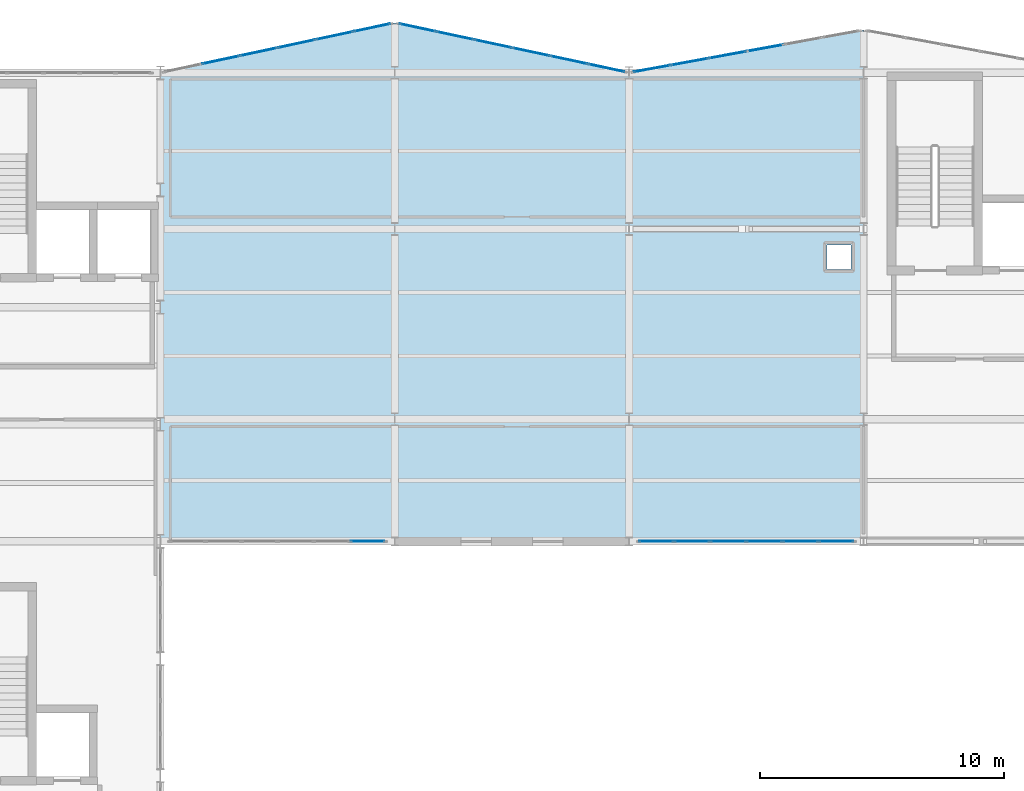
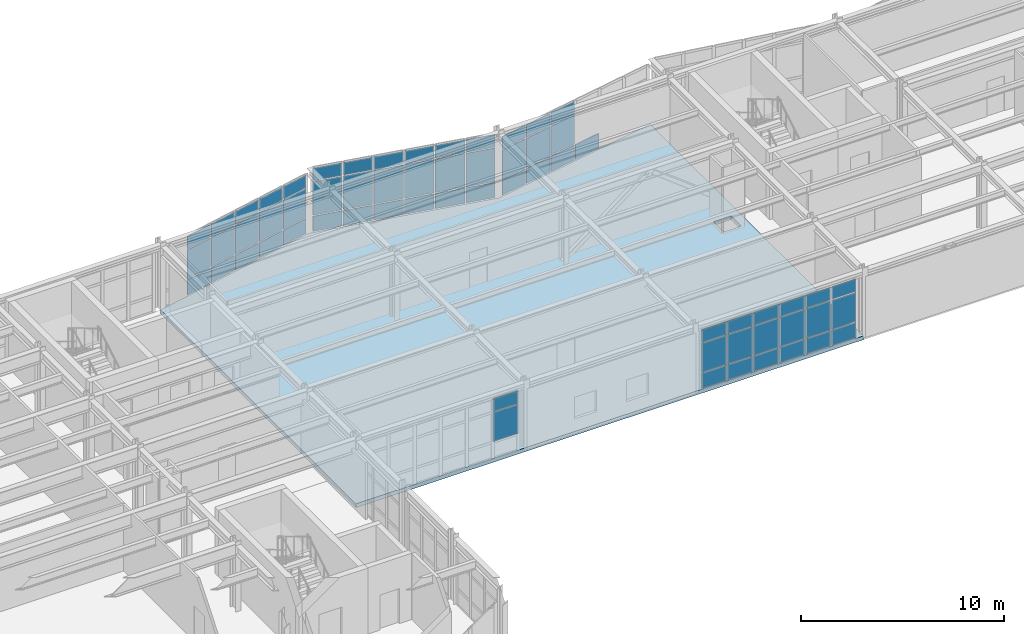
# One storey, part 53 of 76: 63 plates, 1 slab, 5 elements without a shape of their own.
"""IFC4 building model written with IfcOpenShell, lengths in metres."""

from ifc_helpers import new_model, si_unit, direction, frame, origin, origin_2d, place, context, subcontext, project, spatial, polyline, rectangle, outline, extrude, material, layer, layer_set, type_object, element, aggregate, save


model = new_model("IFC4")

# Units and contexts
model_context = context("Model", 3, precision=1e-05, world=origin(), true_north=direction((0.0, 1.0)))
body_context = subcontext(model_context, "Body", "Model", "MODEL_VIEW")
ifc_project = project(units=[si_unit("LENGTHUNIT", "METRE"), si_unit("AREAUNIT", "SQUARE_METRE"), si_unit("VOLUMEUNIT", "CUBIC_METRE"), si_unit("PLANEANGLEUNIT", "RADIAN"), si_unit("MASSUNIT", "GRAM", prefix="KILO")], contexts=[model_context])

# Site, building, storey
site_placement = place(None, origin())
site = spatial("IfcSite", under=ifc_project, at=site_placement, CompositionType="ELEMENT")
building_placement = place(site_placement, origin())
building = spatial("IfcBuilding", under=site, at=building_placement, Name="Nordkorset Police Headquarters", CompositionType="ELEMENT")
storey_placement = place(building_placement, frame((0.0, 0.0, 13.64990234375)))
storey = spatial("IfcBuildingStorey", under=building, at=storey_placement, Name="L03", CompositionType="ELEMENT", Elevation=13.64990234375)

# Curtain wall, plates
ifc_material_1 = material(Name="Aluminium alloy AW-6060", Category="aluminium")
ifc_layer_1 = layer(ifc_material_1, 0.179931640625, Name="Aluminium alloy AW-6060")
ifc_layer_set_1 = layer_set([ifc_layer_1], Name="Aluminium alloy AW-6060")
curtain_wall_type_1 = type_object("IfcCurtainWallType", Name="CW_Unit_954x365", PredefinedType="USERDEFINED", material=ifc_layer_set_1)
curtain_wall_1_placement = place(storey_placement, origin())
curtain_wall_1 = element("IfcCurtainWall", 1, at=curtain_wall_1_placement, inside=storey, type_object=curtain_wall_type_1, Name="Unitised Curtain Wall L03 V2N-0", ObjectType="UNITISED CURTAIN WALL", PredefinedType="USERDEFINED")
ifc_material_2 = material(Name="Low-iron triple glazing", Category="glass")
ifc_layer_2 = layer(ifc_material_2, 0.035888671875, Name="Low-iron triple glazing")
ifc_layer_set_2 = layer_set([ifc_layer_2], Name="Low-iron triple glazing")
plate_type = type_object("IfcPlateType", Name="CW_Panel_TripleGlazing_36", PredefinedType="CURTAIN_PANEL", material=ifc_layer_set_2)
plate_1_placement = place(storey_placement, frame((31.2685546875, 117.3271484375, 0.06494140625), z_axis=(0.0, 0.0, 1.0), x_axis=(0.977951416289, 0.208832534289, 0.0)))
plate_1 = element("IfcPlate", 2, at=plate_1_placement, type_object=plate_type, Name="CW-83 panel 2.1", PredefinedType="CURTAIN_PANEL", context=body_context, shape_type="SweptSolid", body=[
    extrude(rectangle(XDim=1.5244140625, YDim=0.035888671875, at=origin_2d()), origin(), (0.0, 0.0, 1.0), 0.902587890625),
])
plate_2_placement = place(storey_placement, frame((31.2685546875, 117.3271484375, 1.03271484375), z_axis=(0.0, 0.0, 1.0), x_axis=(0.977951416289, 0.208832534289, 0.0)))
plate_2 = element("IfcPlate", 3, at=plate_2_placement, type_object=plate_type, Name="CW-83 panel 2.2", PredefinedType="CURTAIN_PANEL", context=body_context, shape_type="SweptSolid", body=[
    extrude(rectangle(XDim=1.5244140625, YDim=0.035888671875, at=origin_2d()), origin(), (0.0, 0.0, 1.0), 1.735107421875),
])
plate_3_placement = place(storey_placement, frame((31.2685546875, 117.3271484375, 2.83251953125), z_axis=(0.0, 0.0, 1.0), x_axis=(0.977951416289, 0.208832534289, 0.0)))
plate_3 = element("IfcPlate", 4, at=plate_3_placement, type_object=plate_type, Name="CW-83 panel 2.3", PredefinedType="CURTAIN_PANEL", context=body_context, shape_type="SweptSolid", body=[
    extrude(rectangle(XDim=1.5244140625, YDim=0.035888671875, at=origin_2d()), origin(), (0.0, 0.0, 1.0), 0.75244140625),
])
plate_4_placement = place(storey_placement, frame((32.82275390625, 117.658935546875, 0.06494140625), z_axis=(0.0, 0.0, 1.0), x_axis=(0.977951416289, 0.208832534289, 0.0)))
plate_4 = element("IfcPlate", 5, at=plate_4_placement, type_object=plate_type, Name="CW-83 panel 3.1", PredefinedType="CURTAIN_PANEL", context=body_context, shape_type="SweptSolid", body=[
    extrude(rectangle(XDim=1.5244140625, YDim=0.035888671875, at=origin_2d()), origin(), (0.0, 0.0, 1.0), 0.902587890625),
])
plate_5_placement = place(storey_placement, frame((32.82275390625, 117.658935546875, 1.03271484375), z_axis=(0.0, 0.0, 1.0), x_axis=(0.977951416289, 0.208832534289, 0.0)))
plate_5 = element("IfcPlate", 6, at=plate_5_placement, type_object=plate_type, Name="CW-83 panel 3.2", PredefinedType="CURTAIN_PANEL", context=body_context, shape_type="SweptSolid", body=[
    extrude(rectangle(XDim=1.5244140625, YDim=0.035888671875, at=origin_2d()), origin(), (0.0, 0.0, 1.0), 1.735107421875),
])
plate_6_placement = place(storey_placement, frame((32.82275390625, 117.658935546875, 2.83251953125), z_axis=(0.0, 0.0, 1.0), x_axis=(0.977951416289, 0.208832534289, 0.0)))
plate_6 = element("IfcPlate", 7, at=plate_6_placement, type_object=plate_type, Name="CW-83 panel 3.3", PredefinedType="CURTAIN_PANEL", context=body_context, shape_type="SweptSolid", body=[
    extrude(rectangle(XDim=1.5244140625, YDim=0.035888671875, at=origin_2d()), origin(), (0.0, 0.0, 1.0), 0.75244140625),
])
plate_7_placement = place(storey_placement, frame((34.377197265625, 117.990966796875, 0.06494140625), z_axis=(0.0, 0.0, 1.0), x_axis=(0.977951416289, 0.208832534289, 0.0)))
plate_7 = element("IfcPlate", 8, at=plate_7_placement, type_object=plate_type, Name="CW-83 panel 4.1", PredefinedType="CURTAIN_PANEL", context=body_context, shape_type="SweptSolid", body=[
    extrude(rectangle(XDim=1.5244140625, YDim=0.035888671875, at=origin_2d()), origin(), (0.0, 0.0, 1.0), 0.902587890625),
])
plate_8_placement = place(storey_placement, frame((34.377197265625, 117.990966796875, 1.03271484375), z_axis=(0.0, 0.0, 1.0), x_axis=(0.977951416289, 0.208832534289, 0.0)))
plate_8 = element("IfcPlate", 9, at=plate_8_placement, type_object=plate_type, Name="CW-83 panel 4.2", PredefinedType="CURTAIN_PANEL", context=body_context, shape_type="SweptSolid", body=[
    extrude(rectangle(XDim=1.5244140625, YDim=0.035888671875, at=origin_2d()), origin(), (0.0, 0.0, 1.0), 1.735107421875),
])
plate_9_placement = place(storey_placement, frame((34.377197265625, 117.990966796875, 2.83251953125), z_axis=(0.0, 0.0, 1.0), x_axis=(0.977951416289, 0.208832534289, 0.0)))
plate_9 = element("IfcPlate", 10, at=plate_9_placement, type_object=plate_type, Name="CW-83 panel 4.3", PredefinedType="CURTAIN_PANEL", context=body_context, shape_type="SweptSolid", body=[
    extrude(rectangle(XDim=1.5244140625, YDim=0.035888671875, at=origin_2d()), origin(), (0.0, 0.0, 1.0), 0.75244140625),
])
plate_10_placement = place(storey_placement, frame((35.931640625, 118.322998046875, 0.06494140625), z_axis=(0.0, 0.0, 1.0), x_axis=(0.977951416289, 0.208832534289, 0.0)))
plate_10 = element("IfcPlate", 11, at=plate_10_placement, type_object=plate_type, Name="CW-83 panel 5.1", PredefinedType="CURTAIN_PANEL", context=body_context, shape_type="SweptSolid", body=[
    extrude(rectangle(XDim=1.5244140625, YDim=0.035888671875, at=origin_2d()), origin(), (0.0, 0.0, 1.0), 0.902587890625),
])
plate_11_placement = place(storey_placement, frame((35.931640625, 118.322998046875, 1.03271484375), z_axis=(0.0, 0.0, 1.0), x_axis=(0.977951416289, 0.208832534289, 0.0)))
plate_11 = element("IfcPlate", 12, at=plate_11_placement, type_object=plate_type, Name="CW-83 panel 5.2", PredefinedType="CURTAIN_PANEL", context=body_context, shape_type="SweptSolid", body=[
    extrude(rectangle(XDim=1.5244140625, YDim=0.035888671875, at=origin_2d()), origin(), (0.0, 0.0, 1.0), 1.735107421875),
])
plate_12_placement = place(storey_placement, frame((35.931640625, 118.322998046875, 2.83251953125), z_axis=(0.0, 0.0, 1.0), x_axis=(0.977951416289, 0.208832534289, 0.0)))
plate_12 = element("IfcPlate", 13, at=plate_12_placement, type_object=plate_type, Name="CW-83 panel 5.3", PredefinedType="CURTAIN_PANEL", context=body_context, shape_type="SweptSolid", body=[
    extrude(rectangle(XDim=1.5244140625, YDim=0.035888671875, at=origin_2d()), origin(), (0.0, 0.0, 1.0), 0.75244140625),
])
plate_13_placement = place(storey_placement, frame((37.469970703125, 118.6513671875, 0.06494140625), z_axis=(0.0, 0.0, 1.0), x_axis=(0.977951416289, 0.208832534289, 0.0)))
plate_13 = element("IfcPlate", 14, at=plate_13_placement, type_object=plate_type, Name="CW-83 panel 6.1", PredefinedType="CURTAIN_PANEL", context=body_context, shape_type="SweptSolid", body=[
    extrude(rectangle(XDim=1.491943359375, YDim=0.035888671875, at=origin_2d()), origin(), (0.0, 0.0, 1.0), 0.902587890625),
])
plate_14_placement = place(storey_placement, frame((37.469970703125, 118.6513671875, 1.03271484375), z_axis=(0.0, 0.0, 1.0), x_axis=(0.977951416289, 0.208832534289, 0.0)))
plate_14 = element("IfcPlate", 15, at=plate_14_placement, type_object=plate_type, Name="CW-83 panel 6.2", PredefinedType="CURTAIN_PANEL", context=body_context, shape_type="SweptSolid", body=[
    extrude(rectangle(XDim=1.491943359375, YDim=0.035888671875, at=origin_2d()), origin(), (0.0, 0.0, 1.0), 1.735107421875),
])
plate_15_placement = place(storey_placement, frame((37.469970703125, 118.6513671875, 2.83251953125), z_axis=(0.0, 0.0, 1.0), x_axis=(0.977951416289, 0.208832534289, 0.0)))
plate_15 = element("IfcPlate", 16, at=plate_15_placement, type_object=plate_type, Name="CW-83 panel 6.3", PredefinedType="CURTAIN_PANEL", context=body_context, shape_type="SweptSolid", body=[
    extrude(rectangle(XDim=1.491943359375, YDim=0.035888671875, at=origin_2d()), origin(), (0.0, 0.0, 1.0), 0.75244140625),
])
aggregate(curtain_wall_1, [plate_1, plate_2, plate_3, plate_4, plate_5, plate_6, plate_7, plate_8, plate_9, plate_10, plate_11, plate_12, plate_13, plate_14, plate_15])

ifc_material_3 = material(Name="Aluminium alloy AW-6060", Category="aluminium")
ifc_layer_3 = layer(ifc_material_3, 0.179931640625, Name="Aluminium alloy AW-6060")
ifc_layer_set_3 = layer_set([ifc_layer_3], Name="Aluminium alloy AW-6060")
curtain_wall_type_2 = type_object("IfcCurtainWallType", Name="CW_Unit_888x365", PredefinedType="USERDEFINED", material=ifc_layer_set_3)
curtain_wall_2_placement = place(storey_placement, origin())
curtain_wall_2 = element("IfcCurtainWall", 17, at=curtain_wall_2_placement, inside=storey, type_object=curtain_wall_type_2, Name="Unitised Curtain Wall L03 V2S-0", ObjectType="UNITISED CURTAIN WALL", PredefinedType="USERDEFINED")
plate_16_placement = place(storey_placement, frame((37.28369140625, 97.60009765625, 1.03271484375), z_axis=(0.0, 0.0, 1.0), x_axis=(1.0, 0.0, 0.0)))
plate_16 = element("IfcPlate", 18, at=plate_16_placement, type_object=plate_type, Name="CW-26 panel 6.2", PredefinedType="CURTAIN_PANEL", context=body_context, shape_type="SweptSolid", body=[
    extrude(rectangle(XDim=1.382568359375, YDim=0.035888671875, at=origin_2d()), origin(), (0.0, 0.0, 1.0), 1.735107421875),
])
plate_17_placement = place(storey_placement, frame((37.28369140625, 97.60009765625, 2.83251953125), z_axis=(0.0, 0.0, 1.0), x_axis=(1.0, 0.0, 0.0)))
plate_17 = element("IfcPlate", 19, at=plate_17_placement, type_object=plate_type, Name="CW-26 panel 6.3", PredefinedType="CURTAIN_PANEL", context=body_context, shape_type="SweptSolid", body=[
    extrude(rectangle(XDim=1.382568359375, YDim=0.035888671875, at=origin_2d()), origin(), (0.0, 0.0, 1.0), 0.75244140625),
])
aggregate(curtain_wall_2, [plate_16, plate_17])

ifc_material_4 = material(Name="Aluminium alloy AW-6060", Category="aluminium")
ifc_layer_4 = layer(ifc_material_4, 0.179931640625, Name="Aluminium alloy AW-6060")
ifc_layer_set_4 = layer_set([ifc_layer_4], Name="Aluminium alloy AW-6060")
curtain_wall_type_3 = type_object("IfcCurtainWallType", Name="CW_Unit_954x392", PredefinedType="USERDEFINED", material=ifc_layer_set_4)
curtain_wall_3_placement = place(storey_placement, origin())
curtain_wall_3 = element("IfcCurtainWall", 20, at=curtain_wall_3_placement, inside=storey, type_object=curtain_wall_type_3, Name="Unitised Curtain Wall L03 V2N-1", ObjectType="UNITISED CURTAIN WALL", PredefinedType="USERDEFINED")
plate_18_placement = place(storey_placement, frame((39.330078125, 118.6513671875, 0.06494140625), z_axis=(0.0, 0.0, 1.0), x_axis=(0.977951416289, -0.208832534289, 0.0)))
plate_18 = element("IfcPlate", 21, at=plate_18_placement, type_object=plate_type, Name="CW-20 panel 1.1", PredefinedType="CURTAIN_PANEL", context=body_context, shape_type="SweptSolid", body=[
    extrude(rectangle(XDim=1.491943359375, YDim=0.035888671875, at=origin_2d()), origin(), (0.0, 0.0, 1.0), 0.902587890625),
])
plate_19_placement = place(storey_placement, frame((39.330078125, 118.6513671875, 1.03271484375), z_axis=(0.0, 0.0, 1.0), x_axis=(0.977951416289, -0.208832534289, 0.0)))
plate_19 = element("IfcPlate", 22, at=plate_19_placement, type_object=plate_type, Name="CW-20 panel 1.2", PredefinedType="CURTAIN_PANEL", context=body_context, shape_type="SweptSolid", body=[
    extrude(rectangle(XDim=1.491943359375, YDim=0.035888671875, at=origin_2d()), origin(), (0.0, 0.0, 1.0), 2.0048828125),
])
plate_20_placement = place(storey_placement, frame((39.330078125, 118.6513671875, 3.1025390625), z_axis=(0.0, 0.0, 1.0), x_axis=(0.977951416289, -0.208832534289, 0.0)))
plate_20 = element("IfcPlate", 23, at=plate_20_placement, type_object=plate_type, Name="CW-20 panel 1.3", PredefinedType="CURTAIN_PANEL", context=body_context, shape_type="SweptSolid", body=[
    extrude(rectangle(XDim=1.491943359375, YDim=0.035888671875, at=origin_2d()), origin(), (0.0, 0.0, 1.0), 0.75244140625),
])
plate_21_placement = place(storey_placement, frame((40.868408203125, 118.322998046875, 0.06494140625), z_axis=(0.0, 0.0, 1.0), x_axis=(0.977951416289, -0.208832534289, 0.0)))
plate_21 = element("IfcPlate", 24, at=plate_21_placement, type_object=plate_type, Name="CW-20 panel 2.1", PredefinedType="CURTAIN_PANEL", context=body_context, shape_type="SweptSolid", body=[
    extrude(rectangle(XDim=1.5244140625, YDim=0.035888671875, at=origin_2d()), origin(), (0.0, 0.0, 1.0), 0.902587890625),
])
plate_22_placement = place(storey_placement, frame((40.868408203125, 118.322998046875, 1.03271484375), z_axis=(0.0, 0.0, 1.0), x_axis=(0.977951416289, -0.208832534289, 0.0)))
plate_22 = element("IfcPlate", 25, at=plate_22_placement, type_object=plate_type, Name="CW-20 panel 2.2", PredefinedType="CURTAIN_PANEL", context=body_context, shape_type="SweptSolid", body=[
    extrude(rectangle(XDim=1.5244140625, YDim=0.035888671875, at=origin_2d()), origin(), (0.0, 0.0, 1.0), 2.0048828125),
])
plate_23_placement = place(storey_placement, frame((40.868408203125, 118.322998046875, 3.1025390625), z_axis=(0.0, 0.0, 1.0), x_axis=(0.977951416289, -0.208832534289, 0.0)))
plate_23 = element("IfcPlate", 26, at=plate_23_placement, type_object=plate_type, Name="CW-20 panel 2.3", PredefinedType="CURTAIN_PANEL", context=body_context, shape_type="SweptSolid", body=[
    extrude(rectangle(XDim=1.5244140625, YDim=0.035888671875, at=origin_2d()), origin(), (0.0, 0.0, 1.0), 0.75244140625),
])
plate_24_placement = place(storey_placement, frame((42.4228515625, 117.990966796875, 0.06494140625), z_axis=(0.0, 0.0, 1.0), x_axis=(0.977951416289, -0.208832534289, 0.0)))
plate_24 = element("IfcPlate", 27, at=plate_24_placement, type_object=plate_type, Name="CW-20 panel 3.1", PredefinedType="CURTAIN_PANEL", context=body_context, shape_type="SweptSolid", body=[
    extrude(rectangle(XDim=1.5244140625, YDim=0.035888671875, at=origin_2d()), origin(), (0.0, 0.0, 1.0), 0.902587890625),
])
plate_25_placement = place(storey_placement, frame((42.4228515625, 117.990966796875, 1.03271484375), z_axis=(0.0, 0.0, 1.0), x_axis=(0.977951416289, -0.208832534289, 0.0)))
plate_25 = element("IfcPlate", 28, at=plate_25_placement, type_object=plate_type, Name="CW-20 panel 3.2", PredefinedType="CURTAIN_PANEL", context=body_context, shape_type="SweptSolid", body=[
    extrude(rectangle(XDim=1.5244140625, YDim=0.035888671875, at=origin_2d()), origin(), (0.0, 0.0, 1.0), 2.0048828125),
])
plate_26_placement = place(storey_placement, frame((42.4228515625, 117.990966796875, 3.1025390625), z_axis=(0.0, 0.0, 1.0), x_axis=(0.977951416289, -0.208832534289, 0.0)))
plate_26 = element("IfcPlate", 29, at=plate_26_placement, type_object=plate_type, Name="CW-20 panel 3.3", PredefinedType="CURTAIN_PANEL", context=body_context, shape_type="SweptSolid", body=[
    extrude(rectangle(XDim=1.5244140625, YDim=0.035888671875, at=origin_2d()), origin(), (0.0, 0.0, 1.0), 0.75244140625),
])
plate_27_placement = place(storey_placement, frame((43.977294921875, 117.658935546875, 0.06494140625), z_axis=(0.0, 0.0, 1.0), x_axis=(0.977951416289, -0.208832534289, 0.0)))
plate_27 = element("IfcPlate", 30, at=plate_27_placement, type_object=plate_type, Name="CW-20 panel 4.1", PredefinedType="CURTAIN_PANEL", context=body_context, shape_type="SweptSolid", body=[
    extrude(rectangle(XDim=1.5244140625, YDim=0.035888671875, at=origin_2d()), origin(), (0.0, 0.0, 1.0), 0.902587890625),
])
plate_28_placement = place(storey_placement, frame((43.977294921875, 117.658935546875, 1.03271484375), z_axis=(0.0, 0.0, 1.0), x_axis=(0.977951416289, -0.208832534289, 0.0)))
plate_28 = element("IfcPlate", 31, at=plate_28_placement, type_object=plate_type, Name="CW-20 panel 4.2", PredefinedType="CURTAIN_PANEL", context=body_context, shape_type="SweptSolid", body=[
    extrude(rectangle(XDim=1.5244140625, YDim=0.035888671875, at=origin_2d()), origin(), (0.0, 0.0, 1.0), 2.0048828125),
])
plate_29_placement = place(storey_placement, frame((43.977294921875, 117.658935546875, 3.1025390625), z_axis=(0.0, 0.0, 1.0), x_axis=(0.977951416289, -0.208832534289, 0.0)))
plate_29 = element("IfcPlate", 32, at=plate_29_placement, type_object=plate_type, Name="CW-20 panel 4.3", PredefinedType="CURTAIN_PANEL", context=body_context, shape_type="SweptSolid", body=[
    extrude(rectangle(XDim=1.5244140625, YDim=0.035888671875, at=origin_2d()), origin(), (0.0, 0.0, 1.0), 0.75244140625),
])
plate_30_placement = place(storey_placement, frame((45.531494140625, 117.3271484375, 0.06494140625), z_axis=(0.0, 0.0, 1.0), x_axis=(0.977951416289, -0.208832534289, 0.0)))
plate_30 = element("IfcPlate", 33, at=plate_30_placement, type_object=plate_type, Name="CW-20 panel 5.1", PredefinedType="CURTAIN_PANEL", context=body_context, shape_type="SweptSolid", body=[
    extrude(rectangle(XDim=1.5244140625, YDim=0.035888671875, at=origin_2d()), origin(), (0.0, 0.0, 1.0), 0.902587890625),
])
plate_31_placement = place(storey_placement, frame((45.531494140625, 117.3271484375, 1.03271484375), z_axis=(0.0, 0.0, 1.0), x_axis=(0.977951416289, -0.208832534289, 0.0)))
plate_31 = element("IfcPlate", 34, at=plate_31_placement, type_object=plate_type, Name="CW-20 panel 5.2", PredefinedType="CURTAIN_PANEL", context=body_context, shape_type="SweptSolid", body=[
    extrude(rectangle(XDim=1.5244140625, YDim=0.035888671875, at=origin_2d()), origin(), (0.0, 0.0, 1.0), 2.0048828125),
])
plate_32_placement = place(storey_placement, frame((45.531494140625, 117.3271484375, 3.1025390625), z_axis=(0.0, 0.0, 1.0), x_axis=(0.977951416289, -0.208832534289, 0.0)))
plate_32 = element("IfcPlate", 35, at=plate_32_placement, type_object=plate_type, Name="CW-20 panel 5.3", PredefinedType="CURTAIN_PANEL", context=body_context, shape_type="SweptSolid", body=[
    extrude(rectangle(XDim=1.5244140625, YDim=0.035888671875, at=origin_2d()), origin(), (0.0, 0.0, 1.0), 0.75244140625),
])
plate_33_placement = place(storey_placement, frame((47.070068359375, 116.99853515625, 0.06494140625), z_axis=(0.0, 0.0, 1.0), x_axis=(0.977951416289, -0.208832534289, 0.0)))
plate_33 = element("IfcPlate", 36, at=plate_33_placement, type_object=plate_type, Name="CW-20 panel 6.1", PredefinedType="CURTAIN_PANEL", context=body_context, shape_type="SweptSolid", body=[
    extrude(rectangle(XDim=1.491943359375, YDim=0.035888671875, at=origin_2d()), origin(), (0.0, 0.0, 1.0), 0.902587890625),
])
plate_34_placement = place(storey_placement, frame((47.070068359375, 116.99853515625, 1.03271484375), z_axis=(0.0, 0.0, 1.0), x_axis=(0.977951416289, -0.208832534289, 0.0)))
plate_34 = element("IfcPlate", 37, at=plate_34_placement, type_object=plate_type, Name="CW-20 panel 6.2", PredefinedType="CURTAIN_PANEL", context=body_context, shape_type="SweptSolid", body=[
    extrude(rectangle(XDim=1.491943359375, YDim=0.035888671875, at=origin_2d()), origin(), (0.0, 0.0, 1.0), 2.0048828125),
])
plate_35_placement = place(storey_placement, frame((47.070068359375, 116.99853515625, 3.1025390625), z_axis=(0.0, 0.0, 1.0), x_axis=(0.977951416289, -0.208832534289, 0.0)))
plate_35 = element("IfcPlate", 38, at=plate_35_placement, type_object=plate_type, Name="CW-20 panel 6.3", PredefinedType="CURTAIN_PANEL", context=body_context, shape_type="SweptSolid", body=[
    extrude(rectangle(XDim=1.491943359375, YDim=0.035888671875, at=origin_2d()), origin(), (0.0, 0.0, 1.0), 0.75244140625),
])
aggregate(curtain_wall_3, [plate_18, plate_19, plate_20, plate_21, plate_22, plate_23, plate_24, plate_25, plate_26, plate_27, plate_28, plate_29, plate_30, plate_31, plate_32, plate_33, plate_34, plate_35])

ifc_material_5 = material(Name="Aluminium alloy AW-6060", Category="aluminium")
ifc_layer_5 = layer(ifc_material_5, 0.179931640625, Name="Aluminium alloy AW-6060")
ifc_layer_set_5 = layer_set([ifc_layer_5], Name="Aluminium alloy AW-6060")
curtain_wall_type_4 = type_object("IfcCurtainWallType", Name="CW_Unit_948x365", PredefinedType="USERDEFINED", material=ifc_layer_set_5)
curtain_wall_4_placement = place(storey_placement, origin())
curtain_wall_4 = element("IfcCurtainWall", 39, at=curtain_wall_4_placement, inside=storey, type_object=curtain_wall_type_4, Name="Unitised Curtain Wall L03 V2N-2", ObjectType="UNITISED CURTAIN WALL", PredefinedType="USERDEFINED")
plate_36_placement = place(storey_placement, frame((48.9306640625, 116.9697265625, 0.06494140625), z_axis=(0.0, 0.0, 1.0), x_axis=(0.983787934979, 0.179335715876, 0.0)))
plate_36 = element("IfcPlate", 40, at=plate_36_placement, type_object=plate_type, Name="CW-39 panel 1.1", PredefinedType="CURTAIN_PANEL", context=body_context, shape_type="SweptSolid", body=[
    extrude(rectangle(XDim=1.482177734375, YDim=0.035888671875, at=origin_2d()), origin(), (0.0, 0.0, 1.0), 0.902587890625),
])
plate_37_placement = place(storey_placement, frame((48.9306640625, 116.9697265625, 1.03271484375), z_axis=(0.0, 0.0, 1.0), x_axis=(0.983787934979, 0.179335715876, 0.0)))
plate_37 = element("IfcPlate", 41, at=plate_37_placement, type_object=plate_type, Name="CW-39 panel 1.2", PredefinedType="CURTAIN_PANEL", context=body_context, shape_type="SweptSolid", body=[
    extrude(rectangle(XDim=1.482177734375, YDim=0.035888671875, at=origin_2d()), origin(), (0.0, 0.0, 1.0), 1.735107421875),
])
plate_38_placement = place(storey_placement, frame((48.9306640625, 116.9697265625, 2.83251953125), z_axis=(0.0, 0.0, 1.0), x_axis=(0.983787934979, 0.179335715876, 0.0)))
plate_38 = element("IfcPlate", 42, at=plate_38_placement, type_object=plate_type, Name="CW-39 panel 1.3", PredefinedType="CURTAIN_PANEL", context=body_context, shape_type="SweptSolid", body=[
    extrude(rectangle(XDim=1.482177734375, YDim=0.035888671875, at=origin_2d()), origin(), (0.0, 0.0, 1.0), 0.75244140625),
])
plate_39_placement = place(storey_placement, frame((50.46875, 117.25, 0.06494140625), z_axis=(0.0, 0.0, 1.0), x_axis=(0.983787934979, 0.179335715876, 0.0)))
plate_39 = element("IfcPlate", 43, at=plate_39_placement, type_object=plate_type, Name="CW-39 panel 2.1", PredefinedType="CURTAIN_PANEL", context=body_context, shape_type="SweptSolid", body=[
    extrude(rectangle(XDim=1.5146484375, YDim=0.035888671875, at=origin_2d()), origin(), (0.0, 0.0, 1.0), 0.902587890625),
])
plate_40_placement = place(storey_placement, frame((50.46875, 117.25, 1.03271484375), z_axis=(0.0, 0.0, 1.0), x_axis=(0.983787934979, 0.179335715876, 0.0)))
plate_40 = element("IfcPlate", 44, at=plate_40_placement, type_object=plate_type, Name="CW-39 panel 2.2", PredefinedType="CURTAIN_PANEL", context=body_context, shape_type="SweptSolid", body=[
    extrude(rectangle(XDim=1.5146484375, YDim=0.035888671875, at=origin_2d()), origin(), (0.0, 0.0, 1.0), 1.735107421875),
])
plate_41_placement = place(storey_placement, frame((50.46875, 117.25, 2.83251953125), z_axis=(0.0, 0.0, 1.0), x_axis=(0.983787934979, 0.179335715876, 0.0)))
plate_41 = element("IfcPlate", 45, at=plate_41_placement, type_object=plate_type, Name="CW-39 panel 2.3", PredefinedType="CURTAIN_PANEL", context=body_context, shape_type="SweptSolid", body=[
    extrude(rectangle(XDim=1.5146484375, YDim=0.035888671875, at=origin_2d()), origin(), (0.0, 0.0, 1.0), 0.75244140625),
])
plate_42_placement = place(storey_placement, frame((52.02294921875, 117.533447265625, 0.06494140625), z_axis=(0.0, 0.0, 1.0), x_axis=(0.983787934979, 0.179335715876, 0.0)))
plate_42 = element("IfcPlate", 46, at=plate_42_placement, type_object=plate_type, Name="CW-39 panel 3.1", PredefinedType="CURTAIN_PANEL", context=body_context, shape_type="SweptSolid", body=[
    extrude(rectangle(XDim=1.5146484375, YDim=0.035888671875, at=origin_2d()), origin(), (0.0, 0.0, 1.0), 0.902587890625),
])
plate_43_placement = place(storey_placement, frame((52.02294921875, 117.533447265625, 1.03271484375), z_axis=(0.0, 0.0, 1.0), x_axis=(0.983787934979, 0.179335715876, 0.0)))
plate_43 = element("IfcPlate", 47, at=plate_43_placement, type_object=plate_type, Name="CW-39 panel 3.2", PredefinedType="CURTAIN_PANEL", context=body_context, shape_type="SweptSolid", body=[
    extrude(rectangle(XDim=1.5146484375, YDim=0.035888671875, at=origin_2d()), origin(), (0.0, 0.0, 1.0), 1.735107421875),
])
plate_44_placement = place(storey_placement, frame((52.02294921875, 117.533447265625, 2.83251953125), z_axis=(0.0, 0.0, 1.0), x_axis=(0.983787934979, 0.179335715876, 0.0)))
plate_44 = element("IfcPlate", 48, at=plate_44_placement, type_object=plate_type, Name="CW-39 panel 3.3", PredefinedType="CURTAIN_PANEL", context=body_context, shape_type="SweptSolid", body=[
    extrude(rectangle(XDim=1.5146484375, YDim=0.035888671875, at=origin_2d()), origin(), (0.0, 0.0, 1.0), 0.75244140625),
])
plate_45_placement = place(storey_placement, frame((53.5771484375, 117.816650390625, 0.06494140625), z_axis=(0.0, 0.0, 1.0), x_axis=(0.983787934979, 0.179335715876, 0.0)))
plate_45 = element("IfcPlate", 49, at=plate_45_placement, type_object=plate_type, Name="CW-39 panel 4.1", PredefinedType="CURTAIN_PANEL", context=body_context, shape_type="SweptSolid", body=[
    extrude(rectangle(XDim=1.5146484375, YDim=0.035888671875, at=origin_2d()), origin(), (0.0, 0.0, 1.0), 0.902587890625),
])
aggregate(curtain_wall_4, [plate_36, plate_37, plate_38, plate_39, plate_40, plate_41, plate_42, plate_43, plate_44, plate_45])

curtain_wall_5_placement = place(storey_placement, origin())
curtain_wall_5 = element("IfcCurtainWall", 50, at=curtain_wall_5_placement, inside=storey, type_object=curtain_wall_type_2, Name="Unitised Curtain Wall L03 V2S-2", ObjectType="UNITISED CURTAIN WALL", PredefinedType="USERDEFINED")
plate_46_placement = place(storey_placement, frame((49.1162109375, 97.60009765625, 0.06494140625), z_axis=(0.0, 0.0, 1.0), x_axis=(1.0, 0.0, 0.0)))
plate_46 = element("IfcPlate", 51, at=plate_46_placement, type_object=plate_type, Name="CW-26 panel 1.1", PredefinedType="CURTAIN_PANEL", context=body_context, shape_type="SweptSolid", body=[
    extrude(rectangle(XDim=1.382568359375, YDim=0.035888671875, at=origin_2d()), origin(), (0.0, 0.0, 1.0), 0.902587890625),
])
plate_47_placement = place(storey_placement, frame((49.1162109375, 97.60009765625, 1.03271484375), z_axis=(0.0, 0.0, 1.0), x_axis=(1.0, 0.0, 0.0)))
plate_47 = element("IfcPlate", 52, at=plate_47_placement, type_object=plate_type, Name="CW-26 panel 1.2", PredefinedType="CURTAIN_PANEL", context=body_context, shape_type="SweptSolid", body=[
    extrude(rectangle(XDim=1.382568359375, YDim=0.035888671875, at=origin_2d()), origin(), (0.0, 0.0, 1.0), 1.735107421875),
])
plate_48_placement = place(storey_placement, frame((49.1162109375, 97.60009765625, 2.83251953125), z_axis=(0.0, 0.0, 1.0), x_axis=(1.0, 0.0, 0.0)))
plate_48 = element("IfcPlate", 53, at=plate_48_placement, type_object=plate_type, Name="CW-26 panel 1.3", PredefinedType="CURTAIN_PANEL", context=body_context, shape_type="SweptSolid", body=[
    extrude(rectangle(XDim=1.382568359375, YDim=0.035888671875, at=origin_2d()), origin(), (0.0, 0.0, 1.0), 0.75244140625),
])
plate_49_placement = place(storey_placement, frame((50.580078125, 97.60009765625, 0.06494140625), z_axis=(0.0, 0.0, 1.0), x_axis=(1.0, 0.0, 0.0)))
plate_49 = element("IfcPlate", 54, at=plate_49_placement, type_object=plate_type, Name="CW-26 panel 2.1", PredefinedType="CURTAIN_PANEL", context=body_context, shape_type="SweptSolid", body=[
    extrude(rectangle(XDim=1.4150390625, YDim=0.035888671875, at=origin_2d()), origin(), (0.0, 0.0, 1.0), 0.902587890625),
])
plate_50_placement = place(storey_placement, frame((50.580078125, 97.60009765625, 1.03271484375), z_axis=(0.0, 0.0, 1.0), x_axis=(1.0, 0.0, 0.0)))
plate_50 = element("IfcPlate", 55, at=plate_50_placement, type_object=plate_type, Name="CW-26 panel 2.2", PredefinedType="CURTAIN_PANEL", context=body_context, shape_type="SweptSolid", body=[
    extrude(rectangle(XDim=1.4150390625, YDim=0.035888671875, at=origin_2d()), origin(), (0.0, 0.0, 1.0), 1.735107421875),
])
plate_51_placement = place(storey_placement, frame((50.580078125, 97.60009765625, 2.83251953125), z_axis=(0.0, 0.0, 1.0), x_axis=(1.0, 0.0, 0.0)))
plate_51 = element("IfcPlate", 56, at=plate_51_placement, type_object=plate_type, Name="CW-26 panel 2.3", PredefinedType="CURTAIN_PANEL", context=body_context, shape_type="SweptSolid", body=[
    extrude(rectangle(XDim=1.4150390625, YDim=0.035888671875, at=origin_2d()), origin(), (0.0, 0.0, 1.0), 0.75244140625),
])
plate_52_placement = place(storey_placement, frame((52.06005859375, 97.60009765625, 0.06494140625), z_axis=(0.0, 0.0, 1.0), x_axis=(1.0, 0.0, 0.0)))
plate_52 = element("IfcPlate", 57, at=plate_52_placement, type_object=plate_type, Name="CW-26 panel 3.1", PredefinedType="CURTAIN_PANEL", context=body_context, shape_type="SweptSolid", body=[
    extrude(rectangle(XDim=1.4150390625, YDim=0.035888671875, at=origin_2d()), origin(), (0.0, 0.0, 1.0), 0.902587890625),
])
plate_53_placement = place(storey_placement, frame((52.06005859375, 97.60009765625, 1.03271484375), z_axis=(0.0, 0.0, 1.0), x_axis=(1.0, 0.0, 0.0)))
plate_53 = element("IfcPlate", 58, at=plate_53_placement, type_object=plate_type, Name="CW-26 panel 3.2", PredefinedType="CURTAIN_PANEL", context=body_context, shape_type="SweptSolid", body=[
    extrude(rectangle(XDim=1.4150390625, YDim=0.035888671875, at=origin_2d()), origin(), (0.0, 0.0, 1.0), 1.735107421875),
])
plate_54_placement = place(storey_placement, frame((52.06005859375, 97.60009765625, 2.83251953125), z_axis=(0.0, 0.0, 1.0), x_axis=(1.0, 0.0, 0.0)))
plate_54 = element("IfcPlate", 59, at=plate_54_placement, type_object=plate_type, Name="CW-26 panel 3.3", PredefinedType="CURTAIN_PANEL", context=body_context, shape_type="SweptSolid", body=[
    extrude(rectangle(XDim=1.4150390625, YDim=0.035888671875, at=origin_2d()), origin(), (0.0, 0.0, 1.0), 0.75244140625),
])
plate_55_placement = place(storey_placement, frame((53.5400390625, 97.60009765625, 0.06494140625), z_axis=(0.0, 0.0, 1.0), x_axis=(1.0, 0.0, 0.0)))
plate_55 = element("IfcPlate", 60, at=plate_55_placement, type_object=plate_type, Name="CW-26 panel 4.1", PredefinedType="CURTAIN_PANEL", context=body_context, shape_type="SweptSolid", body=[
    extrude(rectangle(XDim=1.4150390625, YDim=0.035888671875, at=origin_2d()), origin(), (0.0, 0.0, 1.0), 0.902587890625),
])
plate_56_placement = place(storey_placement, frame((53.5400390625, 97.60009765625, 1.03271484375), z_axis=(0.0, 0.0, 1.0), x_axis=(1.0, 0.0, 0.0)))
plate_56 = element("IfcPlate", 61, at=plate_56_placement, type_object=plate_type, Name="CW-26 panel 4.2", PredefinedType="CURTAIN_PANEL", context=body_context, shape_type="SweptSolid", body=[
    extrude(rectangle(XDim=1.4150390625, YDim=0.035888671875, at=origin_2d()), origin(), (0.0, 0.0, 1.0), 1.735107421875),
])
plate_57_placement = place(storey_placement, frame((53.5400390625, 97.60009765625, 2.83251953125), z_axis=(0.0, 0.0, 1.0), x_axis=(1.0, 0.0, 0.0)))
plate_57 = element("IfcPlate", 62, at=plate_57_placement, type_object=plate_type, Name="CW-26 panel 4.3", PredefinedType="CURTAIN_PANEL", context=body_context, shape_type="SweptSolid", body=[
    extrude(rectangle(XDim=1.4150390625, YDim=0.035888671875, at=origin_2d()), origin(), (0.0, 0.0, 1.0), 0.75244140625),
])
plate_58_placement = place(storey_placement, frame((55.02001953125, 97.60009765625, 0.06494140625), z_axis=(0.0, 0.0, 1.0), x_axis=(1.0, 0.0, 0.0)))
plate_58 = element("IfcPlate", 63, at=plate_58_placement, type_object=plate_type, Name="CW-26 panel 5.1", PredefinedType="CURTAIN_PANEL", context=body_context, shape_type="SweptSolid", body=[
    extrude(rectangle(XDim=1.4150390625, YDim=0.035888671875, at=origin_2d()), origin(), (0.0, 0.0, 1.0), 0.902587890625),
])
plate_59_placement = place(storey_placement, frame((55.02001953125, 97.60009765625, 1.03271484375), z_axis=(0.0, 0.0, 1.0), x_axis=(1.0, 0.0, 0.0)))
plate_59 = element("IfcPlate", 64, at=plate_59_placement, type_object=plate_type, Name="CW-26 panel 5.2", PredefinedType="CURTAIN_PANEL", context=body_context, shape_type="SweptSolid", body=[
    extrude(rectangle(XDim=1.4150390625, YDim=0.035888671875, at=origin_2d()), origin(), (0.0, 0.0, 1.0), 1.735107421875),
])
plate_60_placement = place(storey_placement, frame((55.02001953125, 97.60009765625, 2.83251953125), z_axis=(0.0, 0.0, 1.0), x_axis=(1.0, 0.0, 0.0)))
plate_60 = element("IfcPlate", 65, at=plate_60_placement, type_object=plate_type, Name="CW-26 panel 5.3", PredefinedType="CURTAIN_PANEL", context=body_context, shape_type="SweptSolid", body=[
    extrude(rectangle(XDim=1.4150390625, YDim=0.035888671875, at=origin_2d()), origin(), (0.0, 0.0, 1.0), 0.75244140625),
])
plate_61_placement = place(storey_placement, frame((56.483642578125, 97.60009765625, 0.06494140625), z_axis=(0.0, 0.0, 1.0), x_axis=(1.0, 0.0, 0.0)))
plate_61 = element("IfcPlate", 66, at=plate_61_placement, type_object=plate_type, Name="CW-26 panel 6.1", PredefinedType="CURTAIN_PANEL", context=body_context, shape_type="SweptSolid", body=[
    extrude(rectangle(XDim=1.382568359375, YDim=0.035888671875, at=origin_2d()), origin(), (0.0, 0.0, 1.0), 0.902587890625),
])
plate_62_placement = place(storey_placement, frame((56.483642578125, 97.60009765625, 1.03271484375), z_axis=(0.0, 0.0, 1.0), x_axis=(1.0, 0.0, 0.0)))
plate_62 = element("IfcPlate", 67, at=plate_62_placement, type_object=plate_type, Name="CW-26 panel 6.2", PredefinedType="CURTAIN_PANEL", context=body_context, shape_type="SweptSolid", body=[
    extrude(rectangle(XDim=1.382568359375, YDim=0.035888671875, at=origin_2d()), origin(), (0.0, 0.0, 1.0), 1.735107421875),
])
plate_63_placement = place(storey_placement, frame((56.483642578125, 97.60009765625, 2.83251953125), z_axis=(0.0, 0.0, 1.0), x_axis=(1.0, 0.0, 0.0)))
plate_63 = element("IfcPlate", 68, at=plate_63_placement, type_object=plate_type, Name="CW-26 panel 6.3", PredefinedType="CURTAIN_PANEL", context=body_context, shape_type="SweptSolid", body=[
    extrude(rectangle(XDim=1.382568359375, YDim=0.035888671875, at=origin_2d()), origin(), (0.0, 0.0, 1.0), 0.75244140625),
])
aggregate(curtain_wall_5, [plate_46, plate_47, plate_48, plate_49, plate_50, plate_51, plate_52, plate_53, plate_54, plate_55, plate_56, plate_57, plate_58, plate_59, plate_60, plate_61, plate_62, plate_63])

# Slab
ifc_material_6 = material(Name="Concrete C35/45", Category="concrete")
ifc_layer_6 = layer(ifc_material_6, 0.22998046875, Name="Concrete C35/45")
ifc_layer_set_6 = layer_set([ifc_layer_6], Name="Concrete C35/45")
slab_type = type_object("IfcSlabType", Name="Slab_Lab_230", PredefinedType="FLOOR", material=ifc_layer_set_6)
slab_placement = place(storey_placement, frame((0.0, 0.0, -0.22998046875)))
element("IfcSlab", 69, at=slab_placement, inside=storey, type_object=slab_type, Name="Composite Floor Slab V2 West L03", PredefinedType="FLOOR", context=body_context, shape_type="SweptSolid", body=[
    extrude(outline(polyline([(28.802001953125, 116.800048828125), (38.39990234375, 118.85009765625), (48.0, 116.800048828125), (57.60009765625, 118.550048828125), (57.60009765625, 97.60009765625), (28.802001953125, 97.60009765625), (28.802001953125, 116.800048828125)]), holes=[polyline([(57.10009765625, 109.75), (56.10009765625, 109.75), (56.10009765625, 108.75), (57.10009765625, 108.75), (57.10009765625, 109.75)])]), origin(), (0.0, 0.0, 1.0), 0.22998046875),
])

save(model, "model.ifc")
